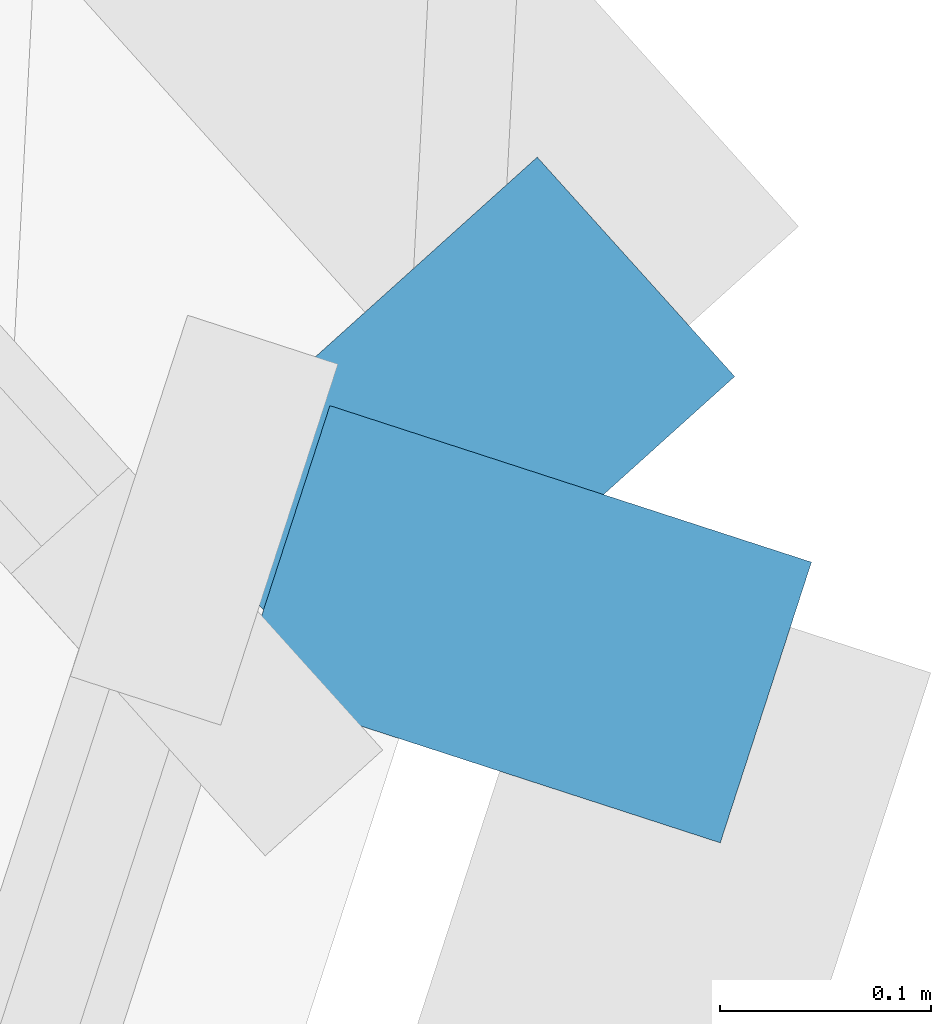
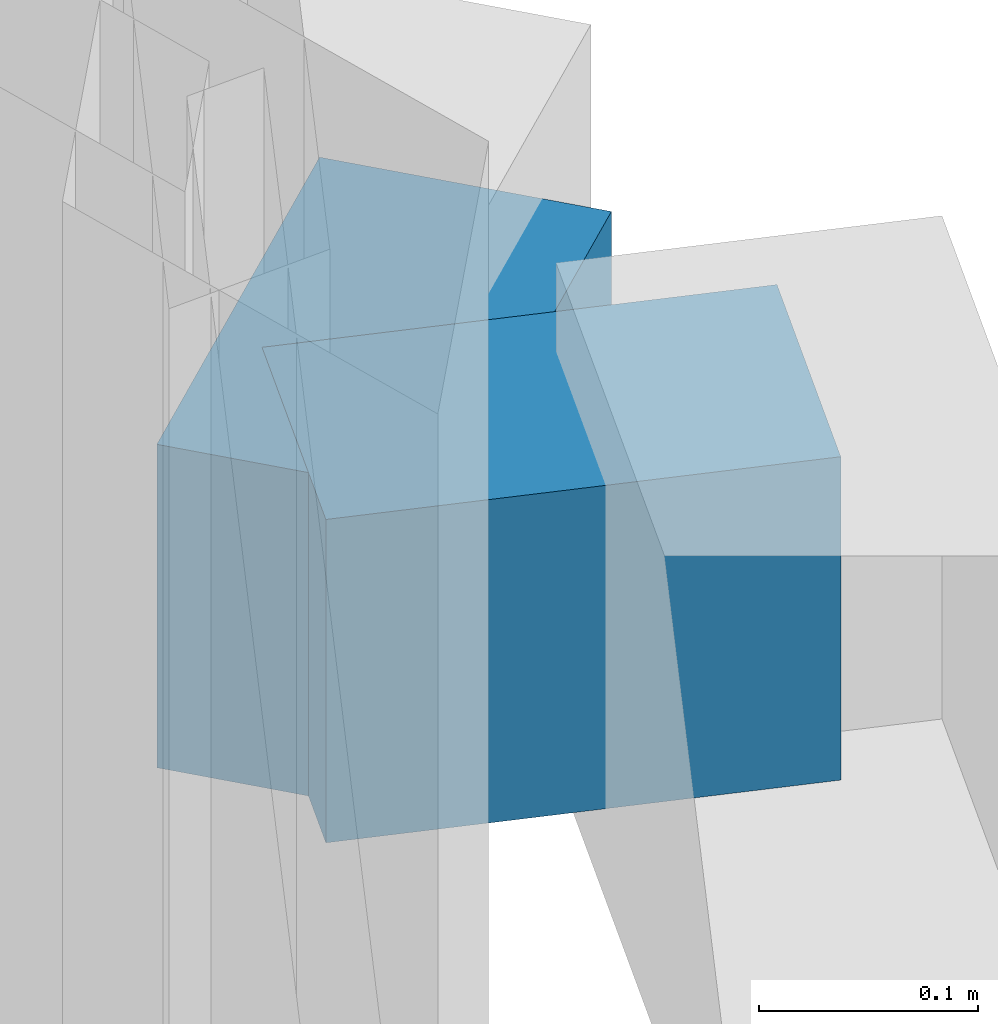
# One storey, part 11 of 15: 2 discrete accessories.
"""IFC4 building model written with IfcOpenShell, lengths in metres."""

import ifcopenshell
import ifcopenshell.guid

model = None  # the IFC model being written
_history = None  # IfcOwnerHistory: only IFC2X3 demands one
_inside = {}  # id of a spatial element -> (the spatial element, [elements in it])
_under = {}  # id of a project, library or spatial element -> (it, [spatial elements below it])
_declared = {}  # id of a project -> (the project, [libraries it declares])
_typed = {}  # id of a type object -> (the type object, [elements of that type])
_made_of = {}  # id of a material, layer set ... -> (it, [elements and type objects made of it])


def new_model(schema):
    """Start an empty IFC model of exactly this schema.

    Asked for "IFC4X3", IfcOpenShell would pick the latest addendum, in which some entities
    have other attributes; the version numbers below select the first issue.
    IFC2X3 requires an IfcOwnerHistory on every rooted entity: one is made here for all.
    """
    global model, _history
    if schema == "IFC4X3":
        model = ifcopenshell.file(schema_version=(4, 3, 0, 0))
    else:
        model = ifcopenshell.file(schema=schema)
    _inside.clear()
    _under.clear()
    _declared.clear()
    _typed.clear()
    _made_of.clear()
    _history = None
    if model.schema == "IFC2X3":
        org = make("IfcOrganization", Name="unknown")
        user = make(
            "IfcPersonAndOrganization",
            ThePerson=make("IfcPerson", FamilyName="unknown"),
            TheOrganization=org,
        )
        app = make(
            "IfcApplication",
            ApplicationDeveloper=org,
            Version="unknown",
            ApplicationFullName="unknown",
            ApplicationIdentifier="unknown",
        )
        _history = make(
            "IfcOwnerHistory",
            OwningUser=user,
            OwningApplication=app,
            ChangeAction="ADDED",
            CreationDate=0,
        )
    return model


def make(cls, **values):
    """One entity of the class cls with the attributes given. An attribute that is None is left unset."""
    return model.create_entity(
        cls, **{name: value for name, value in values.items() if value is not None}
    )


def rooted(cls, **values):
    """An entity with a GlobalId (a new one), such as an element, a storey or a relation."""
    return make(cls, GlobalId=ifcopenshell.guid.new(), OwnerHistory=_history, **values)


def si_unit(unit_type, name, prefix=None):
    """IfcSIUnit, for example si_unit("LENGTHUNIT", "METRE", prefix="MILLI")."""
    return make("IfcSIUnit", UnitType=unit_type, Prefix=prefix, Name=name)


def assignment(units):
    """IfcUnitAssignment: the units of a project."""
    return None if units is None else make("IfcUnitAssignment", Units=units)


def point(xyz):
    """IfcCartesianPoint."""
    return None if xyz is None else make("IfcCartesianPoint", Coordinates=xyz)


def direction(xyz):
    """IfcDirection."""
    return None if xyz is None else make("IfcDirection", DirectionRatios=xyz)


def frame(location, z_axis=None, x_axis=None):
    """IfcAxis2Placement3D, a coordinate frame: its origin and axes. An axis left out is left unset."""
    return make(
        "IfcAxis2Placement3D",
        Location=point(location),
        Axis=direction(z_axis),
        RefDirection=direction(x_axis),
    )


def frame_2d(location, x_axis=None):
    """IfcAxis2Placement2D, a coordinate frame in the plane: its origin and x axis."""
    return make(
        "IfcAxis2Placement2D", Location=point(location), RefDirection=direction(x_axis)
    )


def origin():
    """The frame at (0, 0, 0) with its axes left unset."""
    return frame((0.0, 0.0, 0.0))


def origin_2d():
    """The frame at (0, 0) in the plane with its x axis left unset."""
    return frame_2d((0.0, 0.0))


def place(relative_to, where):
    """IfcLocalPlacement: puts the frame where relative to a parent placement (None: the world)."""
    return make(
        "IfcLocalPlacement", PlacementRelTo=relative_to, RelativePlacement=where
    )


def context(
    kind, dimensions, precision=None, world=None, true_north=None, identifier=None
):
    """IfcGeometricRepresentationContext, for example the 3D "Model" context."""
    return make(
        "IfcGeometricRepresentationContext",
        ContextIdentifier=identifier,
        ContextType=kind,
        CoordinateSpaceDimension=dimensions,
        Precision=precision,
        WorldCoordinateSystem=world,
        TrueNorth=true_north,
    )


def subcontext(parent, identifier, kind, view, scale=None):
    """IfcGeometricRepresentationSubContext, for example "Body" below "Model"."""
    return make(
        "IfcGeometricRepresentationSubContext",
        ContextIdentifier=identifier,
        ContextType=kind,
        ParentContext=parent,
        TargetScale=scale,
        TargetView=view,
    )


def project(units=None, contexts=None):
    """IfcProject with its units and contexts."""
    return rooted(
        "IfcProject",
        Name="project",
        RepresentationContexts=contexts,
        UnitsInContext=assignment(units),
    )


def spatial(cls, under=None, at=None, **own):
    """A site, building, storey or space (cls), placed at a placement, below another one or the project."""
    s = rooted(cls, ObjectPlacement=at, **own)
    if under is not None:
        _under.setdefault(under.id(), (under, []))[1].append(s)
    return s


def profile(cls, at=None, kind="AREA", **sizes):
    """A parametric profile (cls). Its sizes go by their IFC names, for example OverallWidth=200.0."""
    return make(cls, ProfileType=kind, Position=at, **sizes)


def rectangle(**sizes):
    """IfcRectangleProfileDef."""
    return profile("IfcRectangleProfileDef", **sizes)


def extrude(swept, where, along, depth):
    """IfcExtrudedAreaSolid: the profile swept, set in the frame where, extruded along a direction by depth."""
    return make(
        "IfcExtrudedAreaSolid",
        SweptArea=swept,
        Position=where,
        ExtrudedDirection=direction(along),
        Depth=depth,
    )


def shape(context_of_items, identifier, shape_type, items):
    """IfcShapeRepresentation: the items that make up one representation, for example the "Body"."""
    return make(
        "IfcShapeRepresentation",
        ContextOfItems=context_of_items,
        RepresentationIdentifier=identifier,
        RepresentationType=shape_type,
        Items=items,
    )


def material(Name=None, Category=None):
    """IfcMaterial."""
    return make("IfcMaterial", Name=Name, Category=Category)


def made_of(thing, what):
    """Note that an element or type object is made of a material, layer set ...; save() writes the relation."""
    if what is not None:
        _made_of.setdefault(what.id(), (what, []))[1].append(thing)
    return thing


def type_object(cls, material=None, **own):
    """A type object (cls), such as IfcWallType, which elements share."""
    return made_of(rooted(cls, **own), material)


def element(
    cls,
    number,
    at=None,
    inside=None,
    cuts=None,
    type_object=None,
    material=None,
    context=None,
    identifier="Body",
    shape_type=None,
    held_by="IfcProductDefinitionShape",
    body=None,
    shapes=None,
    **own,
):
    """One element of the class cls, such as IfcWall. Its Tag is "e" and its number.

    at: its placement. inside: the storey or other place that contains it. cuts: it is an
    opening in that element (IfcRelVoidsElement). A single representation is given by context,
    identifier, shape_type and body (its items); several are given by shapes. held_by: the class
    of the entity that holds the representations. save() writes the other relations.
    """
    e = rooted(cls, Tag="e%d" % number, ObjectPlacement=at, **own)
    if body is not None:
        shapes = [shape(context, identifier, shape_type, body)]
    if shapes is not None:
        e.Representation = make(held_by, Representations=shapes)
    if inside is not None:
        _inside.setdefault(inside.id(), (inside, []))[1].append(e)
    if cuts is not None:
        rooted(
            "IfcRelVoidsElement", RelatingBuildingElement=cuts, RelatedOpeningElement=e
        )
    if type_object is not None:
        _typed.setdefault(type_object.id(), (type_object, []))[1].append(e)
    return made_of(e, material)


def aggregate(whole, parts):
    """IfcRelAggregates: a whole, such as a stair, and the parts it consists of."""
    return rooted("IfcRelAggregates", RelatingObject=whole, RelatedObjects=parts)


def save(model, path):
    """Write the relations noted so far, then the file.

    IfcRelAggregates (storeys below a building ...), IfcRelContainedInSpatialStructure (elements
    in a storey), IfcRelDefinesByType, IfcRelAssociatesMaterial and IfcRelDeclares: one each for
    every whole, place, type object, material and project.
    """
    for whole, parts in _under.values():
        aggregate(whole, parts)
    for where, things in _inside.values():
        rooted(
            "IfcRelContainedInSpatialStructure",
            RelatedElements=things,
            RelatingStructure=where,
        )
    for kind, things in _typed.values():
        rooted("IfcRelDefinesByType", RelatedObjects=things, RelatingType=kind)
    for what, things in _made_of.values():
        rooted("IfcRelAssociatesMaterial", RelatedObjects=things, RelatingMaterial=what)
    for by, libraries in _declared.values():
        rooted("IfcRelDeclares", RelatingContext=by, RelatedDefinitions=libraries)
    model.write(path)


model = new_model("IFC4")

# Units and contexts
model_context = context("Model", 3, precision=1e-05, world=origin(), true_north=direction((0.0, 1.0)))
body_context = subcontext(model_context, "Body", "Model", "MODEL_VIEW")
ifc_project = project(units=[si_unit("LENGTHUNIT", "METRE"), si_unit("AREAUNIT", "SQUARE_METRE"), si_unit("VOLUMEUNIT", "CUBIC_METRE"), si_unit("PLANEANGLEUNIT", "RADIAN"), si_unit("MASSUNIT", "GRAM", prefix="KILO")], contexts=[model_context])

# Site, building, storey
site_placement = place(None, origin())
site = spatial("IfcSite", under=ifc_project, at=site_placement, CompositionType="ELEMENT")
building_placement = place(site_placement, origin())
building = spatial("IfcBuilding", under=site, at=building_placement, Name="Terralouvre Media Tower", CompositionType="ELEMENT")
storey_placement = place(building_placement, frame((0.0, 0.0, 309.10009765625)))
storey = spatial("IfcBuildingStorey", under=building, at=storey_placement, Name="L80", CompositionType="ELEMENT", Elevation=309.10009765625)

# Discrete accessories
ifc_material = material(Name="Anodised extruded aluminium 6063-T6", Category="aluminium")
discrete_accessory_type = type_object("IfcDiscreteAccessoryType", Name="Mullion Stand-Off Baguette Fixing Bracket BK-01", PredefinedType="BRACKET", material=ifc_material)
for number, where, z_axis, x_axis, name in (
    (1, (22.22802734375, 15.93359375, 2.03662109375), (0.0, 0.0, 1.0), (0.309017021946, 0.951056507337, 0.0), "CW-L80-F0 Baguette Outrigger Bracket 1.06"),
    (2, (22.19140625, 16.022705078125, 2.03662109375), (0.0, 0.0, 1.0), (-0.669130231192, 0.743145163279, 0.0), "CW-L80-C1 Baguette Outrigger Bracket 1.01"),
):
    element("IfcDiscreteAccessory", number, at=place(storey_placement, frame(where, z_axis=z_axis, x_axis=x_axis)), inside=storey, type_object=discrete_accessory_type, Name=name, PredefinedType="BRACKET", context=body_context, shape_type="SweptSolid", body=[
        extrude(rectangle(XDim=0.139892578125, YDim=0.239990234375, at=origin_2d()), origin(), (0.0, 0.0, 1.0), 0.179931640625),
    ])

save(model, "model.ifc")
